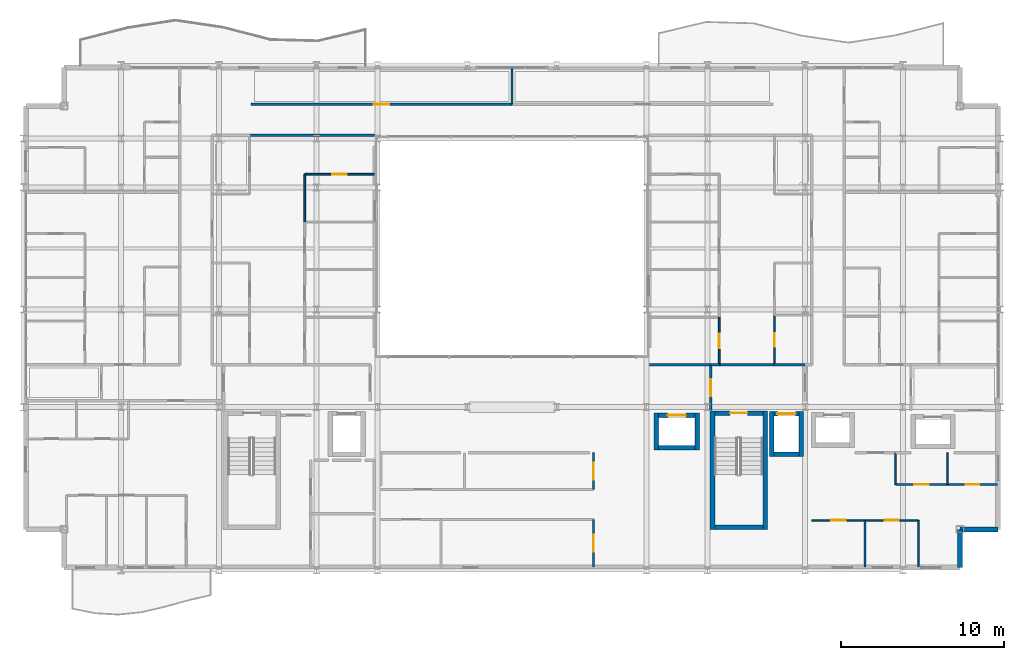
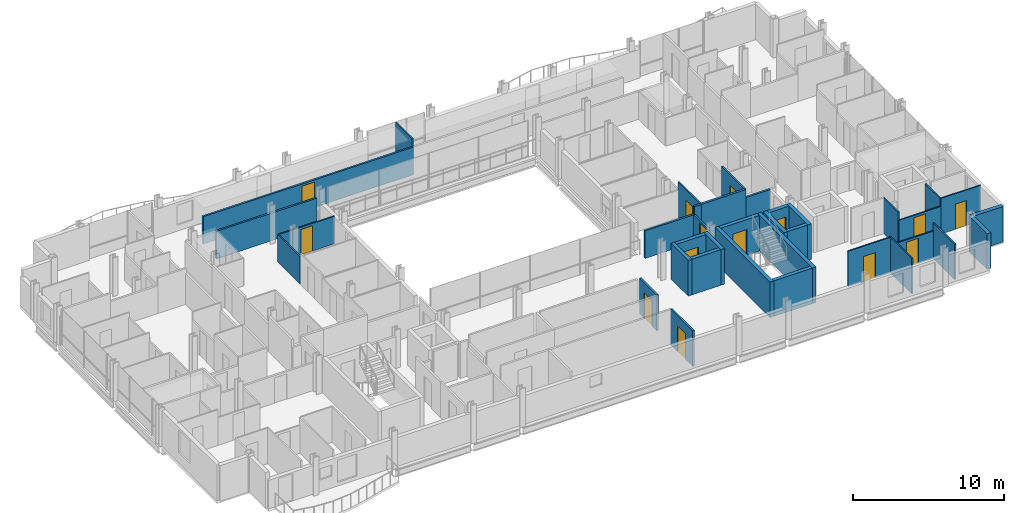
# One storey, part 34 of 41: 36 walls, 14 doors, 14 openings.
"""IFC4 building model written with IfcOpenShell, lengths in metres."""

from ifc_helpers import new_model, si_unit, direction, frame, frame_2d, origin, place, context, subcontext, project, spatial, rectangle, extrude, material, layer, layer_set, type_object, element, fill, save


model = new_model("IFC4")

# Units and contexts
model_context = context("Model", 3, precision=1e-05, world=origin(), true_north=direction((0.0, 1.0)))
body_context = subcontext(model_context, "Body", "Model", "MODEL_VIEW")
ifc_project = project(units=[si_unit("LENGTHUNIT", "METRE"), si_unit("AREAUNIT", "SQUARE_METRE"), si_unit("VOLUMEUNIT", "CUBIC_METRE"), si_unit("PLANEANGLEUNIT", "RADIAN"), si_unit("MASSUNIT", "GRAM", prefix="KILO")], contexts=[model_context])

# Site, building, storey
site_placement = place(None, origin())
site = spatial("IfcSite", under=ifc_project, at=site_placement, CompositionType="ELEMENT")
building_placement = place(site_placement, origin())
building = spatial("IfcBuilding", under=site, at=building_placement, Name="Brevholm Reach", CompositionType="ELEMENT")
storey_placement = place(building_placement, frame((0.0, 0.0, 68.300048828125)))
storey = spatial("IfcBuildingStorey", under=building, at=storey_placement, Name="L19", CompositionType="ELEMENT", Elevation=68.300048828125)

# Walls
ifc_material_1 = material(Name="Concrete C50/60", Category="concrete")
ifc_layer_1 = layer(ifc_material_1, 0.280029296875)
ifc_layer_set_1 = layer_set([ifc_layer_1], Name="Concrete C50/60")
wall_type_1 = type_object("IfcWallType", Name="WAL-COR-280", PredefinedType="SHEAR", material=ifc_layer_set_1)
for number, where, z_axis, x_axis, name in (
    (1, (42.31005859375, 2.5, 0.0), (0.0, 0.0, 1.0), (0.0, 1.0, 0.0), "L19 Escape Stair ST-2 Core Wall W"),
    (2, (45.5400390625, 2.5, 0.0), (0.0, 0.0, 1.0), (0.0, 1.0, 0.0), "L19 Escape Stair ST-2 Core Wall E"),
):
    element("IfcWall", number, at=place(storey_placement, frame(where, z_axis=z_axis, x_axis=x_axis)), inside=storey, type_object=wall_type_1, Name=name, PredefinedType="SHEAR", context=body_context, shape_type="SweptSolid", body=[
        extrude(rectangle(XDim=7.280029296875, YDim=0.280029296875, at=frame_2d((3.64013671875, 0.0))), origin(), (0.0, 0.0, 1.0), 2.869873046875),
    ])
wall_1_placement = place(storey_placement, frame((42.449951171875, 2.639892578125, 0.0), z_axis=(0.0, 0.0, 1.0), x_axis=(1.0, 0.0, 0.0)))
element("IfcWall", 3, at=wall_1_placement, inside=storey, type_object=wall_type_1, Name="L19 Escape Stair ST-2 Core Wall S", PredefinedType="SHEAR", context=body_context, shape_type="SweptSolid", body=[
    extrude(rectangle(XDim=2.949951171875, YDim=0.280029296875, at=frame_2d((1.47509765625, 0.0))), origin(), (0.0, 0.0, 1.0), 2.869873046875),
])

# Wall, opening, door
wall_2_placement = place(storey_placement, frame((45.39990234375, 9.639892578125, 0.0), z_axis=(0.0, 0.0, 1.0), x_axis=(-1.0, 0.0, 0.0)))
wall_2 = element("IfcWall", 4, at=wall_2_placement, inside=storey, type_object=wall_type_1, Name="L19 Escape Stair ST-2 Core Wall N", PredefinedType="SHEAR", context=body_context, shape_type="SweptSolid", body=[
    extrude(rectangle(XDim=2.949951171875, YDim=0.280029296875, at=frame_2d((1.47509765625, 0.0))), origin(), (0.0, 0.0, 1.0), 2.869873046875),
])
opening_1_placement = place(wall_2_placement, frame((0.949951171875, 0.0, 0.0)))
opening_1 = element("IfcOpeningElement", 5, at=opening_1_placement, cuts=wall_2, Name="Opening SD-ST-2", PredefinedType="OPENING", context=body_context, shape_type="SweptSolid", body=[
    extrude(rectangle(XDim=1.050048828125, YDim=2.06005859375, at=frame_2d((0.52490234375, 1.030029296875))), frame((0.0, 0.14990234375, 0.0), z_axis=(0.0, -1.0, 0.0), x_axis=(1.0, 0.0, 0.0)), (0.0, 0.0, 1.0), 0.300048828125),
])
ifc_material_2 = material(Name="Hardwood-Lipped Steel-Core Fire and Smoke Door", Category="steel")
door_type_1 = type_object("IfcDoorType", Name="DOR-INT-FD60S", OperationType="NOTDEFINED", PredefinedType="DOOR", material=ifc_material_2)
door_1_placement = place(opening_1_placement, origin())
door_1 = element("IfcDoor", 6, at=door_1_placement, inside=storey, type_object=door_type_1, Name="L19 Protected Stair ST-2 Lobby Door", OperationType="SINGLE_SWING_RIGHT", OverallHeight=2.06005859375, OverallWidth=1.050048828125, PredefinedType="DOOR", context=body_context, shape_type="SweptSolid", body=[
    extrude(rectangle(XDim=1.050048828125, YDim=2.06005859375, at=frame_2d((0.52490234375, 1.030029296875))), frame((0.0, 0.02490234375, 0.0), z_axis=(0.0, -1.0, 0.0), x_axis=(1.0, 0.0, 0.0)), (0.0, 0.0, 1.0), 0.050048828125),
])
fill(opening_1, door_1)

# Walls
for number, where, z_axis, x_axis, name in (
    (7, (45.949951171875, 6.9599609375, 0.0), (0.0, 0.0, 1.0), (0.0, 1.0, 0.0), "L19 Lift FFL-2 Shaft Wall W"),
    (8, (47.75, 6.9599609375, 0.0), (0.0, 0.0, 1.0), (0.0, 1.0, 0.0), "L19 Lift FFL-2 Shaft Wall E"),
):
    element("IfcWall", number, at=place(storey_placement, frame(where, z_axis=z_axis, x_axis=x_axis)), inside=storey, type_object=wall_type_1, Name=name, PredefinedType="SHEAR", context=body_context, shape_type="SweptSolid", body=[
        extrude(rectangle(XDim=2.780029296875, YDim=0.280029296875, at=frame_2d((1.39013671875, 0.0))), origin(), (0.0, 0.0, 1.0), 2.869873046875),
    ])
wall_3_placement = place(storey_placement, frame((46.090087890625, 7.10009765625, 0.0), z_axis=(0.0, 0.0, 1.0), x_axis=(1.0, 0.0, 0.0)))
element("IfcWall", 9, at=wall_3_placement, inside=storey, type_object=wall_type_1, Name="L19 Lift FFL-2 Shaft Wall S", PredefinedType="SHEAR", context=body_context, shape_type="SweptSolid", body=[
    extrude(rectangle(XDim=1.52001953125, YDim=0.280029296875, at=frame_2d((0.760009765625, 0.0))), origin(), (0.0, 0.0, 1.0), 2.869873046875),
])

# Wall, opening, door
wall_4_placement = place(storey_placement, frame((46.090087890625, 9.60009765625, 0.0), z_axis=(0.0, 0.0, 1.0), x_axis=(1.0, 0.0, 0.0)))
wall_4 = element("IfcWall", 10, at=wall_4_placement, inside=storey, type_object=wall_type_1, Name="L19 Lift FFL-2 Shaft Wall N", PredefinedType="SHEAR", context=body_context, shape_type="SweptSolid", body=[
    extrude(rectangle(XDim=1.52001953125, YDim=0.280029296875, at=frame_2d((0.760009765625, 0.0))), origin(), (0.0, 0.0, 1.0), 2.869873046875),
])
opening_2_placement = place(wall_4_placement, frame((0.2099609375, 0.0, 0.0)))
opening_2 = element("IfcOpeningElement", 11, at=opening_2_placement, cuts=wall_4, Name="Opening LD-FFL-2", PredefinedType="OPENING", context=body_context, shape_type="SweptSolid", body=[
    extrude(rectangle(XDim=1.10009765625, YDim=2.06005859375, at=frame_2d((0.550048828125, 1.030029296875))), frame((0.0, 0.14990234375, 0.0), z_axis=(0.0, -1.0, 0.0), x_axis=(1.0, 0.0, 0.0)), (0.0, 0.0, 1.0), 0.300048828125),
])
ifc_material_3 = material(Name="Brushed Stainless Steel Fire-Rated Sliding Lift Door", Category="steel")
door_type_2 = type_object("IfcDoorType", Name="DOR-LFT-1100", OperationType="NOTDEFINED", PredefinedType="DOOR", material=ifc_material_3)
door_2_placement = place(opening_2_placement, origin())
door_2 = element("IfcDoor", 12, at=door_2_placement, inside=storey, type_object=door_type_2, Name="L19 Lift FFL-2 Sliding Landing Door", OperationType="SLIDING_TO_RIGHT", OverallHeight=2.06005859375, OverallWidth=1.10009765625, PredefinedType="DOOR", context=body_context, shape_type="SweptSolid", body=[
    extrude(rectangle(XDim=1.10009765625, YDim=2.06005859375, at=frame_2d((0.550048828125, 1.030029296875))), frame((0.0, 0.02490234375, 0.0), z_axis=(0.0, -1.0, 0.0), x_axis=(1.0, 0.0, 0.0)), (0.0, 0.0, 1.0), 0.050048828125),
])
fill(opening_2, door_2)

# Walls
for number, where, z_axis, x_axis, name in (
    (13, (38.8701171875, 7.360107421875, 0.0), (0.0, 0.0, 1.0), (0.0, 1.0, 0.0), "L19 Lift PL-S1 Shaft Wall W"),
    (14, (41.3701171875, 7.360107421875, 0.0), (0.0, 0.0, 1.0), (0.0, 1.0, 0.0), "L19 Lift PL-S1 Shaft Wall E"),
):
    element("IfcWall", number, at=place(storey_placement, frame(where, z_axis=z_axis, x_axis=x_axis)), inside=storey, type_object=wall_type_1, Name=name, PredefinedType="SHEAR", context=body_context, shape_type="SweptSolid", body=[
        extrude(rectangle(XDim=2.27978515625, YDim=0.280029296875, at=frame_2d((1.139892578125, 0.0))), origin(), (0.0, 0.0, 1.0), 2.869873046875),
    ])
wall_5_placement = place(storey_placement, frame((39.010009765625, 7.5, 0.0), z_axis=(0.0, 0.0, 1.0), x_axis=(1.0, 0.0, 0.0)))
element("IfcWall", 15, at=wall_5_placement, inside=storey, type_object=wall_type_1, Name="L19 Lift PL-S1 Shaft Wall S", PredefinedType="SHEAR", context=body_context, shape_type="SweptSolid", body=[
    extrude(rectangle(XDim=2.219970703125, YDim=0.280029296875, at=frame_2d((1.10986328125, 0.0))), origin(), (0.0, 0.0, 1.0), 2.869873046875),
])

# Wall, opening, door
wall_6_placement = place(storey_placement, frame((39.010009765625, 9.5, 0.0), z_axis=(0.0, 0.0, 1.0), x_axis=(1.0, 0.0, 0.0)))
wall_6 = element("IfcWall", 16, at=wall_6_placement, inside=storey, type_object=wall_type_1, Name="L19 Lift PL-S1 Shaft Wall N", PredefinedType="SHEAR", context=body_context, shape_type="SweptSolid", body=[
    extrude(rectangle(XDim=2.219970703125, YDim=0.280029296875, at=frame_2d((1.10986328125, 0.0))), origin(), (0.0, 0.0, 1.0), 2.869873046875),
])
opening_3_placement = place(wall_6_placement, frame((0.56005859375, 0.0, 0.0)))
opening_3 = element("IfcOpeningElement", 17, at=opening_3_placement, cuts=wall_6, Name="Opening LD-PL-S1", PredefinedType="OPENING", context=body_context, shape_type="SweptSolid", body=[
    extrude(rectangle(XDim=1.10009765625, YDim=2.06005859375, at=frame_2d((0.550048828125, 1.030029296875))), frame((0.0, 0.14990234375, 0.0), z_axis=(0.0, -1.0, 0.0), x_axis=(1.0, 0.0, 0.0)), (0.0, 0.0, 1.0), 0.300048828125),
])
door_3_placement = place(opening_3_placement, origin())
door_3 = element("IfcDoor", 18, at=door_3_placement, inside=storey, type_object=door_type_2, Name="L19 Lift PL-S1 Sliding Landing Door", OperationType="SLIDING_TO_LEFT", OverallHeight=2.06005859375, OverallWidth=1.10009765625, PredefinedType="DOOR", context=body_context, shape_type="SweptSolid", body=[
    extrude(rectangle(XDim=1.10009765625, YDim=2.06005859375, at=frame_2d((0.550048828125, 1.030029296875))), frame((0.0, 0.02490234375, 0.0), z_axis=(0.0, -1.0, 0.0), x_axis=(1.0, 0.0, 0.0)), (0.0, 0.0, 1.0), 0.050048828125),
])
fill(opening_3, door_3)

# Walls
ifc_material_4 = material(Name="Concrete C40/50", Category="concrete")
ifc_layer_2 = layer(ifc_material_4, 0.300048828125)
ifc_layer_set_2 = layer_set([ifc_layer_2], Name="Concrete C40/50")
wall_type_2 = type_object("IfcWallType", Name="WAL-EXT-300", PredefinedType="STANDARD", material=ifc_layer_set_2)
for number, where, z_axis, x_axis, name in (
    (19, (57.5, 0.14990234375, 0.0), (0.0, 0.0, 1.0), (0.0, 1.0, 0.0), "L19 Facade Wall WAL-L19-CSE1"),
    (20, (57.5, 2.5, 0.0), (0.0, 0.0, 1.0), (1.0, 0.0, 0.0), "L19 Facade Wall WAL-L19-CSE2"),
):
    element("IfcWall", number, at=place(storey_placement, frame(where, z_axis=z_axis, x_axis=x_axis)), inside=storey, type_object=wall_type_2, Name=name, PredefinedType="STANDARD", context=body_context, shape_type="SweptSolid", body=[
        extrude(rectangle(XDim=2.35009765625, YDim=0.300048828125, at=frame_2d((1.175048828125, 0.0))), origin(), (0.0, 0.0, 1.0), 2.869873046875),
    ])
ifc_material_5 = material(Name="Moisture-Resistant Acoustic Gypsum Stud Partition 100 mm", Category="gypsum")
ifc_layer_3 = layer(ifc_material_5, 0.10009765625)
ifc_layer_set_3 = layer_set([ifc_layer_3], Name="Moisture-Resistant Acoustic Gypsum Stud Partition 100 mm")
wall_type_3 = type_object("IfcWallType", Name="WAL-PRT-100", PredefinedType="PARTITIONING", material=ifc_layer_set_3)
wall_7_placement = place(storey_placement, frame((56.75, 5.25, 0.0), z_axis=(0.0, 0.0, 1.0), x_axis=(0.0, 1.0, 0.0)))
element("IfcWall", 21, at=wall_7_placement, inside=storey, type_object=wall_type_3, Name="L19 Internal Partition 083", PredefinedType="PARTITIONING", context=body_context, shape_type="SweptSolid", body=[
    extrude(rectangle(XDim=1.949951171875, YDim=0.10009765625, at=frame_2d((0.97509765625, 0.0))), origin(), (0.0, 0.0, 1.0), 2.869873046875),
])

# Wall, opening, door
wall_8_placement = place(storey_placement, frame((56.75, 5.25, 0.0), z_axis=(0.0, 0.0, 1.0), x_axis=(1.0, 0.0, 0.0)))
wall_8 = element("IfcWall", 22, at=wall_8_placement, inside=storey, type_object=wall_type_3, Name="L19 Internal Partition 084", PredefinedType="PARTITIONING", context=body_context, shape_type="SweptSolid", body=[
    extrude(rectangle(XDim=3.050048828125, YDim=0.10009765625, at=frame_2d((1.52490234375, 0.0))), origin(), (0.0, 0.0, 1.0), 2.869873046875),
])
opening_4_placement = place(wall_8_placement, frame((1.114990234375, 0.0, 0.0)))
opening_4 = element("IfcOpeningElement", 23, at=opening_4_placement, cuts=wall_8, Name="Opening ID-03", PredefinedType="OPENING", context=body_context, shape_type="SweptSolid", body=[
    extrude(rectangle(XDim=0.820068359375, YDim=2.02001953125, at=frame_2d((0.41015625, 1.010009765625))), frame((0.0, 0.06005859375, 0.0), z_axis=(0.0, -1.0, 0.0), x_axis=(1.0, 0.0, 0.0)), (0.0, 0.0, 1.0), 0.1201171875),
])
ifc_material_6 = material(Name="Moisture-Resistant Painted Timber Internal Bathroom Door", Category="wood")
door_type_3 = type_object("IfcDoorType", Name="DOR-BATH-820", OperationType="NOTDEFINED", PredefinedType="DOOR", material=ifc_material_6)
door_4_placement = place(opening_4_placement, origin())
door_4 = element("IfcDoor", 24, at=door_4_placement, inside=storey, type_object=door_type_3, Name="L19 Internal Door 029", OperationType="SINGLE_SWING_LEFT", OverallHeight=2.02001953125, OverallWidth=0.820068359375, PredefinedType="DOOR", context=body_context, shape_type="SweptSolid", body=[
    extrude(rectangle(XDim=0.820068359375, YDim=2.02001953125, at=frame_2d((0.41015625, 1.010009765625))), frame((0.0, 0.02490234375, 0.0), z_axis=(0.0, -1.0, 0.0), x_axis=(1.0, 0.0, 0.0)), (0.0, 0.0, 1.0), 0.050048828125),
])
fill(opening_4, door_4)

wall_9_placement = place(storey_placement, frame((53.55810546875, 5.25, 0.0), z_axis=(0.0, 0.0, 1.0), x_axis=(1.0, 0.0, 0.0)))
wall_9 = element("IfcWall", 25, at=wall_9_placement, inside=storey, type_object=wall_type_3, Name="L19 Internal Partition 085", PredefinedType="PARTITIONING", context=body_context, shape_type="SweptSolid", body=[
    extrude(rectangle(XDim=3.18798828125, YDim=0.10009765625, at=frame_2d((1.593994140625, 0.0))), origin(), (0.0, 0.0, 1.0), 2.224853515625),
])
opening_5_placement = place(wall_9_placement, frame((1.154052734375, 0.0, 0.0)))
opening_5 = element("IfcOpeningElement", 26, at=opening_5_placement, cuts=wall_9, Name="Opening ID-01", PredefinedType="OPENING", context=body_context, shape_type="SweptSolid", body=[
    extrude(rectangle(XDim=0.8798828125, YDim=2.0400390625, at=frame_2d((0.43994140625, 1.02001953125))), frame((0.0, 0.06005859375, 0.0), z_axis=(0.0, -1.0, 0.0), x_axis=(1.0, 0.0, 0.0)), (0.0, 0.0, 1.0), 0.1201171875),
])
ifc_material_7 = material(Name="Lacquered Ash Solid-Core Acoustic Internal Door", Category="timber")
door_type_4 = type_object("IfcDoorType", Name="DOR-INT-880", OperationType="NOTDEFINED", PredefinedType="DOOR", material=ifc_material_7)
door_5_placement = place(opening_5_placement, origin())
door_5 = element("IfcDoor", 27, at=door_5_placement, inside=storey, type_object=door_type_4, Name="L19 Internal Door 030", OperationType="SINGLE_SWING_RIGHT", OverallHeight=2.0400390625, OverallWidth=0.8798828125, PredefinedType="DOOR", context=body_context, shape_type="SweptSolid", body=[
    extrude(rectangle(XDim=0.8798828125, YDim=2.0400390625, at=frame_2d((0.43994140625, 1.02001953125))), frame((0.0, 0.02490234375, 0.0), z_axis=(0.0, -1.0, 0.0), x_axis=(1.0, 0.0, 0.0)), (0.0, 0.0, 1.0), 0.050048828125),
])
fill(opening_5, door_5)

# Walls
wall_10_placement = place(storey_placement, frame((53.55810546875, 5.25, 0.0), z_axis=(0.0, 0.0, 1.0), x_axis=(0.0, 1.0, 0.0)))
element("IfcWall", 28, at=wall_10_placement, inside=storey, type_object=wall_type_3, Name="L19 Internal Partition 086", PredefinedType="PARTITIONING", context=body_context, shape_type="SweptSolid", body=[
    extrude(rectangle(XDim=1.946044921875, YDim=0.10009765625, at=frame_2d((0.97314453125, 0.0))), origin(), (0.0, 0.0, 1.0), 2.869873046875),
])
wall_11_placement = place(storey_placement, frame((51.675048828125, 0.199951171875, 0.0), z_axis=(0.0, 0.0, 1.0), x_axis=(0.0, 1.0, 0.0)))
element("IfcWall", 29, at=wall_11_placement, inside=storey, type_object=wall_type_3, Name="L19 Internal Partition 087", PredefinedType="PARTITIONING", context=body_context, shape_type="SweptSolid", body=[
    extrude(rectangle(XDim=2.85009765625, YDim=0.10009765625, at=frame_2d((1.425048828125, 0.0))), origin(), (0.0, 0.0, 1.0), 2.869873046875),
])

# Wall, opening, door
wall_12_placement = place(storey_placement, frame((48.39990234375, 3.050048828125, 0.0), z_axis=(0.0, 0.0, 1.0), x_axis=(1.0, 0.0, 0.0)))
wall_12 = element("IfcWall", 30, at=wall_12_placement, inside=storey, type_object=wall_type_3, Name="L19 Internal Partition 088", PredefinedType="PARTITIONING", context=body_context, shape_type="SweptSolid", body=[
    extrude(rectangle(XDim=3.275146484375, YDim=0.10009765625, at=frame_2d((1.6376953125, 0.0))), origin(), (0.0, 0.0, 1.0), 2.869873046875),
])
opening_6_placement = place(wall_12_placement, frame((1.197509765625, 0.0, 0.0)))
opening_6 = element("IfcOpeningElement", 31, at=opening_6_placement, cuts=wall_12, Name="Opening ID-01", PredefinedType="OPENING", context=body_context, shape_type="SweptSolid", body=[
    extrude(rectangle(XDim=0.8798828125, YDim=2.0400390625, at=frame_2d((0.43994140625, 1.02001953125))), frame((0.0, 0.06005859375, 0.0), z_axis=(0.0, -1.0, 0.0), x_axis=(1.0, 0.0, 0.0)), (0.0, 0.0, 1.0), 0.1201171875),
])
door_6_placement = place(opening_6_placement, origin())
door_6 = element("IfcDoor", 32, at=door_6_placement, inside=storey, type_object=door_type_4, Name="L19 Internal Door 031", OperationType="SINGLE_SWING_LEFT", OverallHeight=2.0400390625, OverallWidth=0.8798828125, PredefinedType="DOOR", context=body_context, shape_type="SweptSolid", body=[
    extrude(rectangle(XDim=0.8798828125, YDim=2.0400390625, at=frame_2d((0.43994140625, 1.02001953125))), frame((0.0, 0.02490234375, 0.0), z_axis=(0.0, -1.0, 0.0), x_axis=(1.0, 0.0, 0.0)), (0.0, 0.0, 1.0), 0.050048828125),
])
fill(opening_6, door_6)

# Wall
wall_13_placement = place(storey_placement, frame((54.949951171875, 0.199951171875, 0.0), z_axis=(0.0, 0.0, 1.0), x_axis=(0.0, 1.0, 0.0)))
element("IfcWall", 33, at=wall_13_placement, inside=storey, type_object=wall_type_3, Name="L19 Internal Partition 089", PredefinedType="PARTITIONING", context=body_context, shape_type="SweptSolid", body=[
    extrude(rectangle(XDim=2.85009765625, YDim=0.10009765625, at=frame_2d((1.425048828125, 0.0))), origin(), (0.0, 0.0, 1.0), 2.869873046875),
])

# Wall, opening, door
wall_14_placement = place(storey_placement, frame((51.678955078125, 3.050048828125, 0.0), z_axis=(0.0, 0.0, 1.0), x_axis=(1.0, 0.0, 0.0)))
wall_14 = element("IfcWall", 34, at=wall_14_placement, inside=storey, type_object=wall_type_3, Name="L19 Internal Partition 090", PredefinedType="PARTITIONING", context=body_context, shape_type="SweptSolid", body=[
    extrude(rectangle(XDim=3.27099609375, YDim=0.10009765625, at=frame_2d((1.635498046875, 0.0))), origin(), (0.0, 0.0, 1.0), 2.224853515625),
])
opening_7_placement = place(wall_14_placement, frame((1.195556640625, 0.0, 0.0)))
opening_7 = element("IfcOpeningElement", 35, at=opening_7_placement, cuts=wall_14, Name="Opening ID-01", PredefinedType="OPENING", context=body_context, shape_type="SweptSolid", body=[
    extrude(rectangle(XDim=0.8798828125, YDim=2.0400390625, at=frame_2d((0.43994140625, 1.02001953125))), frame((0.0, 0.06005859375, 0.0), z_axis=(0.0, -1.0, 0.0), x_axis=(1.0, 0.0, 0.0)), (0.0, 0.0, 1.0), 0.1201171875),
])
door_7_placement = place(opening_7_placement, origin())
door_7 = element("IfcDoor", 36, at=door_7_placement, inside=storey, type_object=door_type_4, Name="L19 Internal Door 032", OperationType="SINGLE_SWING_RIGHT", OverallHeight=2.0400390625, OverallWidth=0.8798828125, PredefinedType="DOOR", context=body_context, shape_type="SweptSolid", body=[
    extrude(rectangle(XDim=0.8798828125, YDim=2.0400390625, at=frame_2d((0.43994140625, 1.02001953125))), frame((0.0, 0.02490234375, 0.0), z_axis=(0.0, -1.0, 0.0), x_axis=(1.0, 0.0, 0.0)), (0.0, 0.0, 1.0), 0.050048828125),
])
fill(opening_7, door_7)

wall_15_placement = place(storey_placement, frame((17.27099609375, 24.300048828125, 0.0), z_axis=(0.0, 0.0, 1.0), x_axis=(1.0, 0.0, 0.0)))
wall_15 = element("IfcWall", 37, at=wall_15_placement, inside=storey, type_object=wall_type_3, Name="L19 Internal Partition 122", PredefinedType="PARTITIONING", context=body_context, shape_type="SweptSolid", body=[
    extrude(rectangle(XDim=4.279052734375, YDim=0.10009765625, at=frame_2d((2.1396484375, 0.0))), origin(), (0.0, 0.0, 1.0), 2.224853515625),
])
opening_8_placement = place(wall_15_placement, frame((1.699462890625, 0.0, 0.0)))
opening_8 = element("IfcOpeningElement", 38, at=opening_8_placement, cuts=wall_15, Name="Opening ID-01", PredefinedType="OPENING", context=body_context, shape_type="SweptSolid", body=[
    extrude(rectangle(XDim=0.8798828125, YDim=2.0400390625, at=frame_2d((0.43994140625, 1.02001953125))), frame((0.0, 0.06005859375, 0.0), z_axis=(0.0, -1.0, 0.0), x_axis=(1.0, 0.0, 0.0)), (0.0, 0.0, 1.0), 0.1201171875),
])
door_8_placement = place(opening_8_placement, origin())
door_8 = element("IfcDoor", 39, at=door_8_placement, inside=storey, type_object=door_type_4, Name="L19 Internal Door 047", OperationType="SINGLE_SWING_LEFT", OverallHeight=2.0400390625, OverallWidth=0.8798828125, PredefinedType="DOOR", context=body_context, shape_type="SweptSolid", body=[
    extrude(rectangle(XDim=0.8798828125, YDim=2.0400390625, at=frame_2d((0.43994140625, 1.02001953125))), frame((0.0, 0.02490234375, 0.0), z_axis=(0.0, -1.0, 0.0), x_axis=(1.0, 0.0, 0.0)), (0.0, 0.0, 1.0), 0.050048828125),
])
fill(opening_8, door_8)

# Wall
wall_16_placement = place(storey_placement, frame((17.27099609375, 21.37890625, 0.0), z_axis=(0.0, 0.0, 1.0), x_axis=(0.0, 1.0, 0.0)))
element("IfcWall", 40, at=wall_16_placement, inside=storey, type_object=wall_type_3, Name="L19 Internal Partition 123", PredefinedType="PARTITIONING", context=body_context, shape_type="SweptSolid", body=[
    extrude(rectangle(XDim=2.921142578125, YDim=0.10009765625, at=frame_2d((1.46044921875, 0.0))), origin(), (0.0, 0.0, 1.0), 2.224853515625),
])

# Wall, opening, door
wall_17_placement = place(storey_placement, frame((46.112060546875, 12.60400390625, 0.0), z_axis=(0.0, 0.0, 1.0), x_axis=(0.0, 1.0, 0.0)))
wall_17 = element("IfcWall", 41, at=wall_17_placement, inside=storey, type_object=wall_type_3, Name="L19 Internal Partition 125", PredefinedType="PARTITIONING", context=body_context, shape_type="SweptSolid", body=[
    extrude(rectangle(XDim=3.0458984375, YDim=0.10009765625, at=frame_2d((1.52294921875, 0.0))), origin(), (0.0, 0.0, 1.0), 2.869873046875),
])
opening_9_placement = place(wall_17_placement, frame((1.113037109375, 0.0, 0.0)))
opening_9 = element("IfcOpeningElement", 42, at=opening_9_placement, cuts=wall_17, Name="Opening ID-03", PredefinedType="OPENING", context=body_context, shape_type="SweptSolid", body=[
    extrude(rectangle(XDim=0.820068359375, YDim=2.02001953125, at=frame_2d((0.41015625, 1.010009765625))), frame((0.0, 0.06005859375, 0.0), z_axis=(0.0, -1.0, 0.0), x_axis=(1.0, 0.0, 0.0)), (0.0, 0.0, 1.0), 0.1201171875),
])
door_9_placement = place(opening_9_placement, origin())
door_9 = element("IfcDoor", 43, at=door_9_placement, inside=storey, type_object=door_type_3, Name="L19 Internal Door 048", OperationType="SINGLE_SWING_RIGHT", OverallHeight=2.02001953125, OverallWidth=0.820068359375, PredefinedType="DOOR", context=body_context, shape_type="SweptSolid", body=[
    extrude(rectangle(XDim=0.820068359375, YDim=2.02001953125, at=frame_2d((0.41015625, 1.010009765625))), frame((0.0, 0.02490234375, 0.0), z_axis=(0.0, -1.0, 0.0), x_axis=(1.0, 0.0, 0.0)), (0.0, 0.0, 1.0), 0.050048828125),
])
fill(opening_9, door_9)

wall_18_placement = place(storey_placement, frame((42.72802734375, 12.60400390625, 0.0), z_axis=(0.0, 0.0, 1.0), x_axis=(0.0, 1.0, 0.0)))
wall_18 = element("IfcWall", 44, at=wall_18_placement, inside=storey, type_object=wall_type_3, Name="L19 Internal Partition 131", PredefinedType="PARTITIONING", context=body_context, shape_type="SweptSolid", body=[
    extrude(rectangle(XDim=2.9208984375, YDim=0.10009765625, at=frame_2d((1.46044921875, 0.0))), origin(), (0.0, 0.0, 1.0), 2.869873046875),
])
opening_10_placement = place(wall_18_placement, frame((1.0205078125, 0.0, 0.0)))
opening_10 = element("IfcOpeningElement", 45, at=opening_10_placement, cuts=wall_18, Name="Opening ID-01", PredefinedType="OPENING", context=body_context, shape_type="SweptSolid", body=[
    extrude(rectangle(XDim=0.8798828125, YDim=2.0400390625, at=frame_2d((0.43994140625, 1.02001953125))), frame((0.0, 0.06005859375, 0.0), z_axis=(0.0, -1.0, 0.0), x_axis=(1.0, 0.0, 0.0)), (0.0, 0.0, 1.0), 0.1201171875),
])
door_10_placement = place(opening_10_placement, origin())
door_10 = element("IfcDoor", 46, at=door_10_placement, inside=storey, type_object=door_type_4, Name="L19 Internal Door 051", OperationType="SINGLE_SWING_LEFT", OverallHeight=2.0400390625, OverallWidth=0.8798828125, PredefinedType="DOOR", context=body_context, shape_type="SweptSolid", body=[
    extrude(rectangle(XDim=0.8798828125, YDim=2.0400390625, at=frame_2d((0.43994140625, 1.02001953125))), frame((0.0, 0.02490234375, 0.0), z_axis=(0.0, -1.0, 0.0), x_axis=(1.0, 0.0, 0.0)), (0.0, 0.0, 1.0), 0.050048828125),
])
fill(opening_10, door_10)

# Wall
wall_19_placement = place(storey_placement, frame((30.0, 28.60400390625, 0.0), z_axis=(0.0, 0.0, 1.0), x_axis=(0.0, 1.0, 0.0)))
element("IfcWall", 47, at=wall_19_placement, inside=storey, type_object=wall_type_3, Name="L19 Internal Partition 157", PredefinedType="PARTITIONING", context=body_context, shape_type="SweptSolid", body=[
    extrude(rectangle(XDim=2.196044921875, YDim=0.10009765625, at=frame_2d((1.09814453125, 0.0))), origin(), (0.0, 0.0, 1.0), 2.869873046875),
])

# Wall, opening, door
ifc_material_8 = material(Name="Twin-Stud Acoustic Fire-Rated Gypsum Partition 140 mm", Category="gypsum")
ifc_layer_4 = layer(ifc_material_8, 0.139892578125)
ifc_layer_set_4 = layer_set([ifc_layer_4], Name="Twin-Stud Acoustic Fire-Rated Gypsum Partition 140 mm")
wall_type_4 = type_object("IfcWallType", Name="WAL-PRT-140", PredefinedType="PARTITIONING", material=ifc_layer_set_4)
wall_20_placement = place(storey_placement, frame((35.0, 0.179931640625, 0.0), z_axis=(0.0, 0.0, 1.0), x_axis=(0.0, 1.0, 0.0)))
wall_20 = element("IfcWall", 48, at=wall_20_placement, inside=storey, type_object=wall_type_4, Name="L19 Internal Partition 001", PredefinedType="PARTITIONING", context=body_context, shape_type="SweptSolid", body=[
    extrude(rectangle(XDim=2.927490234375, YDim=0.139892578125, at=frame_2d((1.4638671875, 0.0))), origin(), (0.0, 0.0, 1.0), 2.869873046875),
])
opening_11_placement = place(wall_20_placement, frame((0.938720703125, 0.0, 0.0)))
opening_11 = element("IfcOpeningElement", 49, at=opening_11_placement, cuts=wall_20, Name="Opening FD-01", PredefinedType="OPENING", context=body_context, shape_type="SweptSolid", body=[
    extrude(rectangle(XDim=1.050048828125, YDim=2.06005859375, at=frame_2d((0.52490234375, 1.030029296875))), frame((0.0, 0.079833984375, 0.0), z_axis=(0.0, -1.0, 0.0), x_axis=(1.0, 0.0, 0.0)), (0.0, 0.0, 1.0), 0.159912109375),
])
door_11_placement = place(opening_11_placement, origin())
door_11 = element("IfcDoor", 50, at=door_11_placement, inside=storey, type_object=door_type_1, Name="L19 Internal Door 001", OperationType="SINGLE_SWING_LEFT", OverallHeight=2.06005859375, OverallWidth=1.050048828125, PredefinedType="DOOR", context=body_context, shape_type="SweptSolid", body=[
    extrude(rectangle(XDim=1.050048828125, YDim=2.06005859375, at=frame_2d((0.52490234375, 1.030029296875))), frame((0.0, 0.02490234375, 0.0), z_axis=(0.0, -1.0, 0.0), x_axis=(1.0, 0.0, 0.0)), (0.0, 0.0, 1.0), 0.050048828125),
])
fill(opening_11, door_11)

wall_21_placement = place(storey_placement, frame((35.0, 4.942626953125, 0.0), z_axis=(0.0, 0.0, 1.0), x_axis=(0.0, 1.0, 0.0)))
wall_21 = element("IfcWall", 51, at=wall_21_placement, inside=storey, type_object=wall_type_4, Name="L19 Internal Partition 002", PredefinedType="PARTITIONING", context=body_context, shape_type="SweptSolid", body=[
    extrude(rectangle(XDim=2.2685546875, YDim=0.139892578125, at=frame_2d((1.13427734375, 0.0))), origin(), (0.0, 0.0, 1.0), 2.869873046875),
])
opening_12_placement = place(wall_21_placement, frame((0.609375, 0.0, 0.0)))
opening_12 = element("IfcOpeningElement", 52, at=opening_12_placement, cuts=wall_21, Name="Opening FD-01", PredefinedType="OPENING", context=body_context, shape_type="SweptSolid", body=[
    extrude(rectangle(XDim=1.050048828125, YDim=2.06005859375, at=frame_2d((0.52490234375, 1.030029296875))), frame((0.0, 0.079833984375, 0.0), z_axis=(0.0, -1.0, 0.0), x_axis=(1.0, 0.0, 0.0)), (0.0, 0.0, 1.0), 0.159912109375),
])
door_12_placement = place(opening_12_placement, origin())
door_12 = element("IfcDoor", 53, at=door_12_placement, inside=storey, type_object=door_type_1, Name="L19 Internal Door 002", OperationType="SINGLE_SWING_RIGHT", OverallHeight=2.06005859375, OverallWidth=1.050048828125, PredefinedType="DOOR", context=body_context, shape_type="SweptSolid", body=[
    extrude(rectangle(XDim=1.050048828125, YDim=2.06005859375, at=frame_2d((0.52490234375, 1.030029296875))), frame((0.0, 0.02490234375, 0.0), z_axis=(0.0, -1.0, 0.0), x_axis=(1.0, 0.0, 0.0)), (0.0, 0.0, 1.0), 0.050048828125),
])
fill(opening_12, door_12)

# Walls
wall_22_placement = place(storey_placement, frame((38.438720703125, 12.60009765625, 0.0), z_axis=(0.0, 0.0, 1.0), x_axis=(1.0, 0.0, 0.0)))
element("IfcWall", 54, at=wall_22_placement, inside=storey, type_object=wall_type_4, Name="L19 Internal Partition 035", PredefinedType="PARTITIONING", context=body_context, shape_type="SweptSolid", body=[
    extrude(rectangle(XDim=3.75732421875, YDim=0.139892578125, at=frame_2d((1.878662109375, 0.0))), origin(), (0.0, 0.0, 1.0), 2.224853515625),
])
wall_23_placement = place(storey_placement, frame((13.881591796875, 26.699951171875, 0.0), z_axis=(0.0, 0.0, 1.0), x_axis=(1.0, 0.0, 0.0)))
element("IfcWall", 55, at=wall_23_placement, inside=storey, type_object=wall_type_4, Name="L19 Internal Partition 059", PredefinedType="PARTITIONING", context=body_context, shape_type="SweptSolid", body=[
    extrude(rectangle(XDim=7.6796875, YDim=0.139892578125, at=frame_2d((3.83984375, 0.0))), origin(), (0.0, 0.0, 1.0), 2.224853515625),
])

# Wall, opening, door
wall_24_placement = place(storey_placement, frame((13.98876953125, 28.60009765625, 0.0), z_axis=(0.0, 0.0, 1.0), x_axis=(1.0, 0.0, 0.0)))
wall_24 = element("IfcWall", 56, at=wall_24_placement, inside=storey, type_object=wall_type_4, Name="L19 Internal Partition 062", PredefinedType="PARTITIONING", context=body_context, shape_type="SweptSolid", body=[
    extrude(rectangle(XDim=16.0224609375, YDim=0.139892578125, at=frame_2d((8.01123046875, 0.0))), origin(), (0.0, 0.0, 1.0), 2.224853515625),
])
opening_13_placement = place(wall_24_placement, frame((7.536376953125, 0.0, 0.0)))
opening_13 = element("IfcOpeningElement", 57, at=opening_13_placement, cuts=wall_24, Name="Opening ID-30", PredefinedType="OPENING", context=body_context, shape_type="SweptSolid", body=[
    extrude(rectangle(XDim=0.949951171875, YDim=2.050048828125, at=frame_2d((0.47509765625, 1.02490234375))), frame((0.0, 0.079833984375, 0.0), z_axis=(0.0, -1.0, 0.0), x_axis=(1.0, 0.0, 0.0)), (0.0, 0.0, 1.0), 0.159912109375),
])
ifc_material_9 = material(Name="European Oak Veneered Solid-Core Fire Entrance Door", Category="timber")
door_type_5 = type_object("IfcDoorType", Name="DOR-FLT-FD30S", OperationType="NOTDEFINED", PredefinedType="DOOR", material=ifc_material_9)
door_13_placement = place(opening_13_placement, origin())
door_13 = element("IfcDoor", 58, at=door_13_placement, inside=storey, type_object=door_type_5, Name="L19 Internal Door 022", OperationType="SINGLE_SWING_RIGHT", OverallHeight=2.050048828125, OverallWidth=0.949951171875, PredefinedType="DOOR", context=body_context, shape_type="SweptSolid", body=[
    extrude(rectangle(XDim=0.949951171875, YDim=2.050048828125, at=frame_2d((0.47509765625, 1.02490234375))), frame((0.0, 0.02490234375, 0.0), z_axis=(0.0, -1.0, 0.0), x_axis=(1.0, 0.0, 0.0)), (0.0, 0.0, 1.0), 0.050048828125),
])
fill(opening_13, door_13)

ifc_material_10 = material(Name="Twin-Frame Fire-Rated Gypsum Board and Mineral Wool 160 mm", Category="gypsum")
ifc_layer_5 = layer(ifc_material_10, 0.159912109375)
ifc_layer_set_5 = layer_set([ifc_layer_5], Name="Twin-Frame Fire-Rated Gypsum Board and Mineral Wool 160 mm")
wall_type_5 = type_object("IfcWallType", Name="WAL-PRT-160", PredefinedType="PARTITIONING", material=ifc_layer_set_5)
wall_25_placement = place(storey_placement, frame((42.199951171875, 9.7900390625, 0.0), z_axis=(0.0, 0.0, 1.0), x_axis=(0.0, 1.0, 0.0)))
wall_25 = element("IfcWall", 59, at=wall_25_placement, inside=storey, type_object=wall_type_5, Name="L19 Internal Partition 024", PredefinedType="PARTITIONING", context=body_context, shape_type="SweptSolid", body=[
    extrude(rectangle(XDim=2.81005859375, YDim=0.159912109375, at=frame_2d((1.405029296875, 0.0))), origin(), (0.0, 0.0, 1.0), 2.224853515625),
])
opening_14_placement = place(wall_25_placement, frame((0.8798828125, 0.0, 0.0)))
opening_14 = element("IfcOpeningElement", 60, at=opening_14_placement, cuts=wall_25, Name="Opening FD-01", PredefinedType="OPENING", context=body_context, shape_type="SweptSolid", body=[
    extrude(rectangle(XDim=1.050048828125, YDim=2.06005859375, at=frame_2d((0.52490234375, 1.030029296875))), frame((0.0, 0.08984375, 0.0), z_axis=(0.0, -1.0, 0.0), x_axis=(1.0, 0.0, 0.0)), (0.0, 0.0, 1.0), 0.179931640625),
])
door_14_placement = place(opening_14_placement, origin())
door_14 = element("IfcDoor", 61, at=door_14_placement, inside=storey, type_object=door_type_1, Name="L19 Internal Door 013", OperationType="SINGLE_SWING_LEFT", OverallHeight=2.06005859375, OverallWidth=1.050048828125, PredefinedType="DOOR", context=body_context, shape_type="SweptSolid", body=[
    extrude(rectangle(XDim=1.050048828125, YDim=2.06005859375, at=frame_2d((0.52490234375, 1.030029296875))), frame((0.0, 0.02490234375, 0.0), z_axis=(0.0, -1.0, 0.0), x_axis=(1.0, 0.0, 0.0)), (0.0, 0.0, 1.0), 0.050048828125),
])
fill(opening_14, door_14)

# Walls
wall_26_placement = place(storey_placement, frame((46.1005859375, 12.60009765625, 0.0), z_axis=(0.0, 0.0, 1.0), x_axis=(1.0, 0.0, 0.0)))
element("IfcWall", 62, at=wall_26_placement, inside=storey, type_object=wall_type_5, Name="L19 Internal Partition 026", PredefinedType="PARTITIONING", context=body_context, shape_type="SweptSolid", body=[
    extrude(rectangle(XDim=1.8994140625, YDim=0.159912109375, at=frame_2d((0.94970703125, 0.0))), origin(), (0.0, 0.0, 1.0), 2.224853515625),
])
wall_27_placement = place(storey_placement, frame((42.199951171875, 12.60009765625, 0.0), z_axis=(0.0, 0.0, 1.0), x_axis=(1.0, 0.0, 0.0)))
element("IfcWall", 63, at=wall_27_placement, inside=storey, type_object=wall_type_5, Name="L19 Internal Partition 027", PredefinedType="PARTITIONING", context=body_context, shape_type="SweptSolid", body=[
    extrude(rectangle(XDim=0.539306640625, YDim=0.159912109375, at=frame_2d((0.26953125, 0.0))), origin(), (0.0, 0.0, 1.0), 2.869873046875),
])
wall_28_placement = place(storey_placement, frame((42.720703125, 12.60009765625, 0.0), z_axis=(0.0, 0.0, 1.0), x_axis=(1.0, 0.0, 0.0)))
element("IfcWall", 64, at=wall_28_placement, inside=storey, type_object=wall_type_5, Name="L19 Internal Partition 028", PredefinedType="PARTITIONING", context=body_context, shape_type="SweptSolid", body=[
    extrude(rectangle(XDim=3.398681640625, YDim=0.159912109375, at=frame_2d((1.69921875, 0.0))), origin(), (0.0, 0.0, 1.0), 2.869873046875),
])

save(model, "model.ifc")
